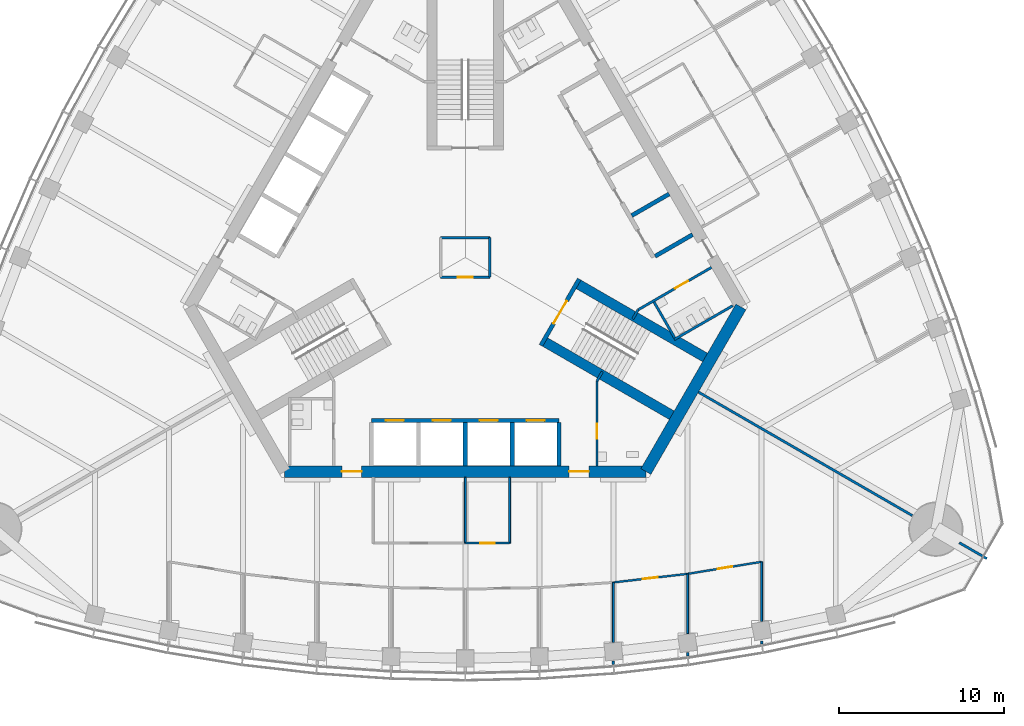
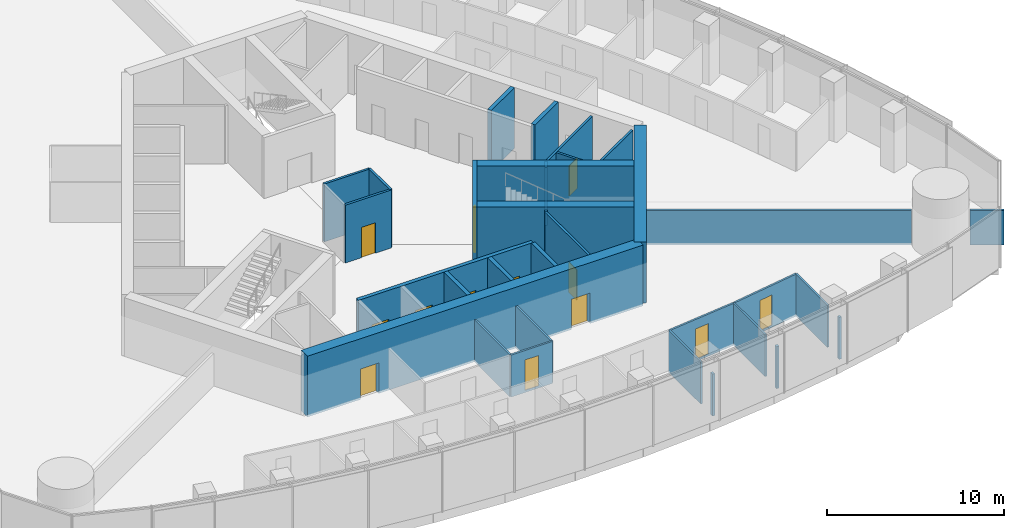
# One storey, part 12 of 19: 33 walls, 13 doors, 13 openings.
"""IFC4 building model written with IfcOpenShell, lengths in metres."""

from ifc_helpers import new_model, si_unit, direction, frame, frame_2d, origin, place, context, subcontext, project, spatial, rectangle, extrude, material, layer, layer_set, type_object, element, fill, save


model = new_model("IFC4")

# Units and contexts
model_context = context("Model", 3, precision=1e-05, world=origin(), true_north=direction((0.0, 1.0)))
body_context = subcontext(model_context, "Body", "Model", "MODEL_VIEW")
ifc_project = project(units=[si_unit("LENGTHUNIT", "METRE"), si_unit("AREAUNIT", "SQUARE_METRE"), si_unit("VOLUMEUNIT", "CUBIC_METRE"), si_unit("PLANEANGLEUNIT", "RADIAN"), si_unit("MASSUNIT", "GRAM", prefix="KILO")], contexts=[model_context])

# Site, building, storey
site_placement = place(None, origin())
site = spatial("IfcSite", under=ifc_project, at=site_placement, CompositionType="ELEMENT")
building_placement = place(site_placement, origin())
building = spatial("IfcBuilding", under=site, at=building_placement, Name="Trefoil Bronze Tower", CompositionType="ELEMENT")
storey_placement = place(building_placement, frame((0.0, 0.0, 235.89990234375)))
storey = spatial("IfcBuildingStorey", under=building, at=storey_placement, Name="L54", CompositionType="ELEMENT", Elevation=235.89990234375)

# Wall, openings, doors
ifc_material_1 = material(Name="Concrete B80", Category="concrete")
ifc_layer_1 = layer(ifc_material_1, 0.699951171875)
ifc_layer_set_1 = layer_set([ifc_layer_1], Name="Core wall 700")
wall_type_1 = type_object("IfcWallType", Name="Core wall 700", PredefinedType="SHEAR", material=ifc_layer_set_1)
wall_1_placement = place(storey_placement, frame((-10.9697265625, -13.0, 0.0), z_axis=(0.0, 0.0, 1.0), x_axis=(1.0, 0.0, 0.0)))
wall_1 = element("IfcWall", 1, at=wall_1_placement, inside=storey, type_object=wall_type_1, Name="Core long wall 1 L54", PredefinedType="SHEAR", context=body_context, shape_type="SweptSolid", body=[
    extrude(rectangle(XDim=21.939453125, YDim=0.699951171875, at=frame_2d((10.9697265625, 0.0))), origin(), (0.0, 0.0, 1.0), 4.2001953125),
])
opening_1_placement = place(wall_1_placement, frame((17.269775390625, 0.0, 0.0)))
opening_1 = element("IfcOpeningElement", 2, at=opening_1_placement, cuts=wall_1, Name="Opening D2", PredefinedType="OPENING", context=body_context, shape_type="SweptSolid", body=[
    extrude(rectangle(XDim=1.199951171875, YDim=2.10009765625, at=frame_2d((0.60009765625, 1.050048828125))), frame((0.0, 0.35986328125, 0.0), z_axis=(0.0, -1.0, 0.0), x_axis=(1.0, 0.0, 0.0)), (0.0, 0.0, 1.0), 0.719970703125),
])
opening_2_placement = place(wall_1_placement, frame((3.4697265625, 0.0, 0.0)))
opening_2 = element("IfcOpeningElement", 3, at=opening_2_placement, cuts=wall_1, Name="Opening D2", PredefinedType="OPENING", context=body_context, shape_type="SweptSolid", body=[
    extrude(rectangle(XDim=1.199951171875, YDim=2.10009765625, at=frame_2d((0.60009765625, 1.050048828125))), frame((0.0, 0.35986328125, 0.0), z_axis=(0.0, -1.0, 0.0), x_axis=(1.0, 0.0, 0.0)), (0.0, 0.0, 1.0), 0.719970703125),
])
ifc_material_2 = material(Name="Steel door", Category="steel")
door_type_1 = type_object("IfcDoorType", Name="Lobby door 1200", OperationType="SINGLE_SWING_RIGHT", PredefinedType="DOOR", material=ifc_material_2)
door_1_placement = place(opening_1_placement, origin())
door_1 = element("IfcDoor", 4, at=door_1_placement, inside=storey, type_object=door_type_1, Name="Lobby door F1+ L54", OperationType="SINGLE_SWING_RIGHT", OverallHeight=2.10009765625, OverallWidth=1.199951171875, PredefinedType="DOOR", context=body_context, shape_type="SweptSolid", body=[
    extrude(rectangle(XDim=1.199951171875, YDim=2.10009765625, at=frame_2d((0.60009765625, 1.050048828125))), frame((0.0, 0.02490234375, 0.0), z_axis=(0.0, -1.0, 0.0), x_axis=(1.0, 0.0, 0.0)), (0.0, 0.0, 1.0), 0.050048828125),
])
fill(opening_1, door_1)
door_2_placement = place(opening_2_placement, origin())
door_2 = element("IfcDoor", 5, at=door_2_placement, inside=storey, type_object=door_type_1, Name="Lobby door F1- L54", OperationType="SINGLE_SWING_LEFT", OverallHeight=2.10009765625, OverallWidth=1.199951171875, PredefinedType="DOOR", context=body_context, shape_type="SweptSolid", body=[
    extrude(rectangle(XDim=1.199951171875, YDim=2.10009765625, at=frame_2d((0.60009765625, 1.050048828125))), frame((0.0, 0.02490234375, 0.0), z_axis=(0.0, -1.0, 0.0), x_axis=(1.0, 0.0, 0.0)), (0.0, 0.0, 1.0), 0.050048828125),
])
fill(opening_2, door_2)

# Wall
wall_2_placement = place(storey_placement, frame((10.9697265625, -13.0, 0.0), z_axis=(0.0, 0.0, 1.0), x_axis=(0.499995765644, 0.866027848477, 0.0)))
element("IfcWall", 6, at=wall_2_placement, inside=storey, type_object=wall_type_1, Name="Core short wall 1 L54", PredefinedType="SHEAR", context=body_context, shape_type="SweptSolid", body=[
    extrude(rectangle(XDim=11.546875, YDim=0.699951171875, at=frame_2d((5.7734375, 0.0))), origin(), (0.0, 0.0, 1.0), 4.2001953125),
])

# Wall, opening, door
ifc_material_3 = material(Name="Glazed partition", Category="glass")
ifc_layer_2 = layer(ifc_material_3, 0.1201171875)
ifc_layer_set_2 = layer_set([ifc_layer_2], Name="Glazed partition 120")
wall_type_2 = type_object("IfcWallType", Name="Glazed partition 120", PredefinedType="PARTITIONING", material=ifc_layer_set_2)
wall_3_placement = place(storey_placement, frame((0.0, -17.35009765625, 0.0), z_axis=(0.0, 0.0, 1.0), x_axis=(1.0, 0.0, 0.0)))
wall_3 = element("IfcWall", 7, at=wall_3_placement, inside=storey, type_object=wall_type_2, Name="Partition F1 L54", PredefinedType="PARTITIONING", context=body_context, shape_type="SweptSolid", body=[
    extrude(rectangle(XDim=2.699951171875, YDim=0.1201171875, at=frame_2d((1.35009765625, 0.0))), origin(), (0.0, 0.0, 1.0), 2.900146484375),
])
opening_3_placement = place(wall_3_placement, frame((0.89990234375, 0.0, 0.14990234375)))
opening_3 = element("IfcOpeningElement", 8, at=opening_3_placement, cuts=wall_3, Name="Opening D8", PredefinedType="OPENING", context=body_context, shape_type="SweptSolid", body=[
    extrude(rectangle(XDim=0.89990234375, YDim=2.10009765625, at=frame_2d((0.449951171875, 1.050048828125))), frame((0.0, 0.070068359375, 0.0), z_axis=(0.0, -1.0, 0.0), x_axis=(1.0, 0.0, 0.0)), (0.0, 0.0, 1.0), 0.14013671875),
])
ifc_material_4 = material(Name="Timber door", Category="wood")
door_type_2 = type_object("IfcDoorType", Name="Office door 900", OperationType="SINGLE_SWING_LEFT", PredefinedType="DOOR", material=ifc_material_4)
door_3_placement = place(opening_3_placement, origin())
door_3 = element("IfcDoor", 9, at=door_3_placement, inside=storey, type_object=door_type_2, Name="Pantry door F1 L54", OperationType="SINGLE_SWING_LEFT", OverallHeight=2.10009765625, OverallWidth=0.89990234375, PredefinedType="DOOR", context=body_context, shape_type="SweptSolid", body=[
    extrude(rectangle(XDim=0.89990234375, YDim=2.10009765625, at=frame_2d((0.449951171875, 1.050048828125))), frame((0.0, 0.02490234375, 0.0), z_axis=(0.0, -1.0, 0.0), x_axis=(1.0, 0.0, 0.0)), (0.0, 0.0, 1.0), 0.050048828125),
])
fill(opening_3, door_3)

# Walls
for number, where, z_axis, x_axis, name in (
    (10, (2.699951171875, -13.35009765625, 0.0), (0.0, 0.0, 1.0), (0.0, -1.0, 0.0), "Partition F1 L54"),
    (11, (0.0, -13.35009765625, 0.0), (0.0, 0.0, 1.0), (0.0, -1.0, 0.0), "Partition F1 L54"),
):
    element("IfcWall", number, at=place(storey_placement, frame(where, z_axis=z_axis, x_axis=x_axis)), inside=storey, type_object=wall_type_2, Name=name, PredefinedType="PARTITIONING", context=body_context, shape_type="SweptSolid", body=[
        extrude(rectangle(XDim=4.0, YDim=0.1201171875, at=frame_2d((2.0, 0.0))), origin(), (0.0, 0.0, 1.0), 2.900146484375),
    ])

# Wall, opening, door
wall_4_placement = place(storey_placement, frame((13.5, -19.216064453125, 0.0), z_axis=(0.0, 0.0, 1.0), x_axis=(0.986986525477, 0.160802980469, 0.0)))
wall_4 = element("IfcWall", 12, at=wall_4_placement, inside=storey, type_object=wall_type_2, Name="Partition F1 L54", PredefinedType="PARTITIONING", context=body_context, shape_type="SweptSolid", body=[
    extrude(rectangle(XDim=4.559326171875, YDim=0.1201171875, at=frame_2d((2.27978515625, 0.0))), origin(), (0.0, 0.0, 1.0), 2.900146484375),
])
opening_4_placement = place(wall_4_placement, frame((1.85009765625, 0.0, 0.14990234375)))
opening_4 = element("IfcOpeningElement", 13, at=opening_4_placement, cuts=wall_4, Name="Opening D8", PredefinedType="OPENING", context=body_context, shape_type="SweptSolid", body=[
    extrude(rectangle(XDim=0.89990234375, YDim=2.10009765625, at=frame_2d((0.449951171875, 1.050048828125))), frame((0.0, 0.070068359375, 0.0), z_axis=(0.0, -1.0, 0.0), x_axis=(1.0, 0.0, 0.0)), (0.0, 0.0, 1.0), 0.14013671875),
])
door_4_placement = place(opening_4_placement, frame((0.89990234375, 0.0, 0.0), z_axis=(0.0, 0.0, 1.0), x_axis=(-1.0, 0.0, 0.0)))
door_4 = element("IfcDoor", 14, at=door_4_placement, inside=storey, type_object=door_type_2, Name="Office door F1 L54", OperationType="SINGLE_SWING_LEFT", OverallHeight=2.10009765625, OverallWidth=0.89990234375, PredefinedType="DOOR", context=body_context, shape_type="SweptSolid", body=[
    extrude(rectangle(XDim=0.89990234375, YDim=2.10009765625, at=frame_2d((0.449951171875, 1.050048828125))), frame((0.0, 0.02490234375, 0.0), z_axis=(0.0, -1.0, 0.0), x_axis=(1.0, 0.0, 0.0)), (0.0, 0.0, 1.0), 0.050048828125),
])
fill(opening_4, door_4)

wall_5_placement = place(storey_placement, frame((9.0, -19.736328125, 0.0), z_axis=(0.0, 0.0, 1.0), x_axis=(0.993382946625, 0.114849124309, 0.0)))
wall_5 = element("IfcWall", 15, at=wall_5_placement, inside=storey, type_object=wall_type_2, Name="Partition F1 L54", PredefinedType="PARTITIONING", context=body_context, shape_type="SweptSolid", body=[
    extrude(rectangle(XDim=4.530029296875, YDim=0.1201171875, at=frame_2d((2.26513671875, 0.0))), origin(), (0.0, 0.0, 1.0), 2.900146484375),
])
opening_5_placement = place(wall_5_placement, frame((1.800048828125, 0.0, 0.14990234375)))
opening_5 = element("IfcOpeningElement", 16, at=opening_5_placement, cuts=wall_5, Name="Opening D8", PredefinedType="OPENING", context=body_context, shape_type="SweptSolid", body=[
    extrude(rectangle(XDim=0.89990234375, YDim=2.10009765625, at=frame_2d((0.449951171875, 1.050048828125))), frame((0.0, 0.070068359375, 0.0), z_axis=(0.0, -1.0, 0.0), x_axis=(1.0, 0.0, 0.0)), (0.0, 0.0, 1.0), 0.14013671875),
])
door_5_placement = place(opening_5_placement, frame((0.89990234375, 0.0, 0.0), z_axis=(0.0, 0.0, 1.0), x_axis=(-1.0, 0.0, 0.0)))
door_5 = element("IfcDoor", 17, at=door_5_placement, inside=storey, type_object=door_type_2, Name="Office door F1 L54", OperationType="SINGLE_SWING_RIGHT", OverallHeight=2.10009765625, OverallWidth=0.89990234375, PredefinedType="DOOR", context=body_context, shape_type="SweptSolid", body=[
    extrude(rectangle(XDim=0.89990234375, YDim=2.10009765625, at=frame_2d((0.449951171875, 1.050048828125))), frame((0.0, 0.02490234375, 0.0), z_axis=(0.0, -1.0, 0.0), x_axis=(1.0, 0.0, 0.0)), (0.0, 0.0, 1.0), 0.050048828125),
])
fill(opening_5, door_5)

# Walls
wall_6_placement = place(storey_placement, frame((13.5, -19.216064453125, 0.0), z_axis=(0.0, 0.0, 1.0), x_axis=(0.0, -1.0, 0.0)))
element("IfcWall", 18, at=wall_6_placement, inside=storey, type_object=wall_type_2, Name="Partition F1 L54", PredefinedType="PARTITIONING", context=body_context, shape_type="SweptSolid", body=[
    extrude(rectangle(XDim=3.632080078125, YDim=0.1201171875, at=frame_2d((1.81591796875, 0.0))), origin(), (0.0, 0.0, 1.0), 2.900146484375),
])
wall_7_placement = place(storey_placement, frame((18.0, -18.48291015625, 0.0), z_axis=(0.0, 0.0, 1.0), x_axis=(0.0, -1.0, 0.0)))
element("IfcWall", 19, at=wall_7_placement, inside=storey, type_object=wall_type_2, Name="Partition F1 L54", PredefinedType="PARTITIONING", context=body_context, shape_type="SweptSolid", body=[
    extrude(rectangle(XDim=3.62158203125, YDim=0.1201171875, at=frame_2d((1.810791015625, 0.0))), origin(), (0.0, 0.0, 1.0), 2.900146484375),
])
wall_8_placement = place(storey_placement, frame((9.0, -19.736328125, 0.0), z_axis=(0.0, 0.0, 1.0), x_axis=(0.0, -1.0, 0.0)))
element("IfcWall", 20, at=wall_8_placement, inside=storey, type_object=wall_type_2, Name="Partition F1 L54", PredefinedType="PARTITIONING", context=body_context, shape_type="SweptSolid", body=[
    extrude(rectangle(XDim=3.639404296875, YDim=0.1201171875, at=frame_2d((1.81982421875, 0.0))), origin(), (0.0, 0.0, 1.0), 2.900146484375),
])

# Wall, opening, door
ifc_material_5 = material(Name="Gypsum board on steel studs", Category="steel")
ifc_layer_3 = layer(ifc_material_5, 0.14990234375)
ifc_layer_set_3 = layer_set([ifc_layer_3], Name="Partition 150")
wall_type_3 = type_object("IfcWallType", Name="Partition 150", PredefinedType="PARTITIONING", material=ifc_layer_set_3)
wall_9_placement = place(storey_placement, frame((8.0, -7.5, 0.0), z_axis=(0.0, 0.0, 1.0), x_axis=(0.0, -1.0, 0.0)))
wall_9 = element("IfcWall", 21, at=wall_9_placement, inside=storey, type_object=wall_type_3, Name="Passage wall F1+ L54", PredefinedType="PARTITIONING", context=body_context, shape_type="SweptSolid", body=[
    extrude(rectangle(XDim=5.14990234375, YDim=0.14990234375, at=frame_2d((2.574951171875, 0.0))), origin(), (0.0, 0.0, 1.0), 4.0),
])
opening_6_placement = place(wall_9_placement, frame((2.60009765625, 0.0, 0.0)))
opening_6 = element("IfcOpeningElement", 22, at=opening_6_placement, cuts=wall_9, Name="Opening D3", PredefinedType="OPENING", context=body_context, shape_type="SweptSolid", body=[
    extrude(rectangle(XDim=0.89990234375, YDim=2.10009765625, at=frame_2d((0.449951171875, 1.050048828125))), frame((0.0, 0.0849609375, 0.0), z_axis=(0.0, -1.0, 0.0), x_axis=(1.0, 0.0, 0.0)), (0.0, 0.0, 1.0), 0.169921875),
])
ifc_material_6 = material(Name="Timber door", Category="wood")
door_type_3 = type_object("IfcDoorType", Name="WC door 900", OperationType="SINGLE_SWING_LEFT", PredefinedType="DOOR", material=ifc_material_6)
door_6_placement = place(opening_6_placement, origin())
door_6 = element("IfcDoor", 23, at=door_6_placement, inside=storey, type_object=door_type_3, Name="Accessible WC door L54", OperationType="SINGLE_SWING_RIGHT", OverallHeight=2.10009765625, OverallWidth=0.89990234375, PredefinedType="DOOR", context=body_context, shape_type="SweptSolid", body=[
    extrude(rectangle(XDim=0.89990234375, YDim=2.10009765625, at=frame_2d((0.449951171875, 1.050048828125))), frame((0.0, 0.02490234375, 0.0), z_axis=(0.0, -1.0, 0.0), x_axis=(1.0, 0.0, 0.0)), (0.0, 0.0, 1.0), 0.050048828125),
])
fill(opening_6, door_6)

wall_10_placement = place(storey_placement, frame((10.4951171875, -3.17822265625, 0.0), z_axis=(0.0, 0.0, 1.0), x_axis=(0.866037967349, 0.499978238636, 0.0)))
wall_10 = element("IfcWall", 24, at=wall_10_placement, inside=storey, type_object=wall_type_3, Name="Passage wall F2- L54", PredefinedType="PARTITIONING", context=body_context, shape_type="SweptSolid", body=[
    extrude(rectangle(XDim=5.150146484375, YDim=0.14990234375, at=frame_2d((2.5751953125, 0.0))), origin(), (0.0, 0.0, 1.0), 4.0),
])
opening_7_placement = place(wall_10_placement, frame((2.60009765625, 0.0, 0.0)))
opening_7 = element("IfcOpeningElement", 25, at=opening_7_placement, cuts=wall_10, Name="Opening D3", PredefinedType="OPENING", context=body_context, shape_type="SweptSolid", body=[
    extrude(rectangle(XDim=0.89990234375, YDim=2.10009765625, at=frame_2d((0.449951171875, 1.050048828125))), frame((0.0, 0.0849609375, 0.0), z_axis=(0.0, -1.0, 0.0), x_axis=(1.0, 0.0, 0.0)), (0.0, 0.0, 1.0), 0.169921875),
])
door_7_placement = place(opening_7_placement, frame((0.89990234375, 0.0, 0.0), z_axis=(0.0, 0.0, 1.0), x_axis=(-1.0, 0.0, 0.0)))
door_7 = element("IfcDoor", 26, at=door_7_placement, inside=storey, type_object=door_type_3, Name="WC (women) door L54", OperationType="SINGLE_SWING_RIGHT", OverallHeight=2.10009765625, OverallWidth=0.89990234375, PredefinedType="DOOR", context=body_context, shape_type="SweptSolid", body=[
    extrude(rectangle(XDim=0.89990234375, YDim=2.10009765625, at=frame_2d((0.449951171875, 1.050048828125))), frame((0.0, 0.02490234375, 0.0), z_axis=(0.0, -1.0, 0.0), x_axis=(1.0, 0.0, 0.0)), (0.0, 0.0, 1.0), 0.050048828125),
])
fill(opening_7, door_7)

# Walls
for number, where, z_axis, x_axis, name in (
    (27, (8.0, -7.5, 0.0), (0.0, 0.0, 1.0), (0.499842556608, 0.866116284689, 0.0), "WC wall ST1-1 L54"),
    (28, (10.4951171875, -3.17822265625, 0.0), (0.0, 0.0, 1.0), (-0.499842556608, -0.866116284689, 0.0), "WC wall ST1+1 L54"),
):
    element("IfcWall", number, at=place(storey_placement, frame(where, z_axis=z_axis, x_axis=x_axis)), inside=storey, type_object=wall_type_3, Name=name, PredefinedType="PARTITIONING", context=body_context, shape_type="SweptSolid", body=[
        extrude(rectangle(XDim=0.645263671875, YDim=0.14990234375, at=frame_2d((0.32275390625, 0.0))), origin(), (0.0, 0.0, 1.0), 4.0),
    ])
wall_11_placement = place(storey_placement, frame((12.691162109375, -4.98193359375, 0.0), z_axis=(0.0, 0.0, 1.0), x_axis=(0.8660249478, 0.500000789788, 0.0)))
element("IfcWall", 29, at=wall_11_placement, inside=storey, type_object=wall_type_3, Name="WC partition WC (women) L54", PredefinedType="PARTITIONING", context=body_context, shape_type="SweptSolid", body=[
    extrude(rectangle(XDim=4.10009765625, YDim=0.14990234375, at=frame_2d((2.050048828125, 0.0))), origin(), (0.0, 0.0, 1.0), 4.0),
])
wall_12_placement = place(storey_placement, frame((11.463623046875, -2.70556640625, 0.0), z_axis=(0.0, 0.0, 1.0), x_axis=(0.50001992892, -0.866013897511, 0.0)))
element("IfcWall", 30, at=wall_12_placement, inside=storey, type_object=wall_type_3, Name="WC partition WC (women) L54", PredefinedType="PARTITIONING", context=body_context, shape_type="SweptSolid", body=[
    extrude(rectangle(XDim=2.51025390625, YDim=0.14990234375, at=frame_2d((1.255126953125, 0.0))), origin(), (0.0, 0.0, 1.0), 4.0),
])
wall_13_placement = place(storey_placement, frame((13.5, -24.0048828125, 0.0), z_axis=(0.0, 0.0, 1.0), x_axis=(0.0, -1.0, 0.0)))
element("IfcWall", 31, at=wall_13_placement, inside=storey, type_object=wall_type_3, Name="Partition F1 L54", PredefinedType="PARTITIONING", context=body_context, shape_type="SweptSolid", body=[
    extrude(rectangle(XDim=0.206298828125, YDim=0.14990234375, at=frame_2d((0.10302734375, 0.0))), origin(), (0.0, 0.0, 1.0), 2.900146484375),
])
wall_14_placement = place(storey_placement, frame((18.0, -23.285888671875, 0.0), z_axis=(0.0, 0.0, 1.0), x_axis=(0.0, -1.0, 0.0)))
element("IfcWall", 32, at=wall_14_placement, inside=storey, type_object=wall_type_3, Name="Partition F1 L54", PredefinedType="PARTITIONING", context=body_context, shape_type="SweptSolid", body=[
    extrude(rectangle(XDim=0.192138671875, YDim=0.14990234375, at=frame_2d((0.09619140625, 0.0))), origin(), (0.0, 0.0, 1.0), 2.900146484375),
])
wall_15_placement = place(storey_placement, frame((9.0, -24.508056640625, 0.0), z_axis=(0.0, 0.0, 1.0), x_axis=(0.0, -1.0, 0.0)))
element("IfcWall", 33, at=wall_15_placement, inside=storey, type_object=wall_type_3, Name="Partition F1 L54", PredefinedType="PARTITIONING", context=body_context, shape_type="SweptSolid", body=[
    extrude(rectangle(XDim=0.223388671875, YDim=0.14990234375, at=frame_2d((0.11181640625, 0.0))), origin(), (0.0, 0.0, 1.0), 2.900146484375),
])
ifc_material_7 = material(Name="Gypsum board on steel studs", Category="steel")
ifc_layer_4 = layer(ifc_material_7, 0.14990234375)
ifc_layer_set_4 = layer_set([ifc_layer_4], Name="Party wall 150")
wall_type_4 = type_object("IfcWallType", Name="Party wall 150", PredefinedType="PARTITIONING", material=ifc_layer_set_4)
wall_16_placement = place(storey_placement, frame((14.159423828125, -8.175048828125, 0.0), z_axis=(0.0, 0.0, 1.0), x_axis=(0.866027028085, -0.499997186618, 0.0)))
element("IfcWall", 34, at=wall_16_placement, inside=storey, type_object=wall_type_4, Name="Party wall K1 L54", PredefinedType="PARTITIONING", context=body_context, shape_type="SweptSolid", body=[
    extrude(rectangle(XDim=15.0, YDim=0.14990234375, at=frame_2d((7.5, 0.0))), origin(), (0.0, 0.0, 1.0), 2.400146484375),
])
wall_17_placement = place(storey_placement, frame((30.0078125, -17.324951171875, 0.0), z_axis=(0.0, 0.0, 1.0), x_axis=(0.866013246922, -0.500021055713, 0.0)))
element("IfcWall", 35, at=wall_17_placement, inside=storey, type_object=wall_type_4, Name="Party wall K1 L54", PredefinedType="PARTITIONING", context=body_context, shape_type="SweptSolid", body=[
    extrude(rectangle(XDim=1.9345703125, YDim=0.14990234375, at=frame_2d((0.96728515625, 0.0))), origin(), (0.0, 0.0, 1.0), 2.400146484375),
])

# Wall, opening, door
ifc_material_8 = material(Name="Gypsum board on steel studs", Category="steel")
ifc_layer_5 = layer(ifc_material_8, 0.14990234375)
ifc_layer_set_5 = layer_set([ifc_layer_5], Name="Riser wall 150")
wall_type_5 = type_object("IfcWallType", Name="Riser wall 150", PredefinedType="PARTITIONING", material=ifc_layer_set_5)
wall_18_placement = place(storey_placement, frame((-1.5, -1.199951171875, 0.0), z_axis=(0.0, 0.0, 1.0), x_axis=(1.0, 0.0, 0.0)))
wall_18 = element("IfcWall", 36, at=wall_18_placement, inside=storey, type_object=wall_type_5, Name="Riser wall L54", PredefinedType="PARTITIONING", context=body_context, shape_type="SweptSolid", body=[
    extrude(rectangle(XDim=3.0, YDim=0.14990234375, at=frame_2d((1.5, 0.0))), origin(), (0.0, 0.0, 1.0), 4.0),
])
opening_8_placement = place(wall_18_placement, frame((1.050048828125, 0.0, 0.0)))
opening_8 = element("IfcOpeningElement", 37, at=opening_8_placement, cuts=wall_18, Name="Opening D4", PredefinedType="OPENING", context=body_context, shape_type="SweptSolid", body=[
    extrude(rectangle(XDim=0.89990234375, YDim=2.10009765625, at=frame_2d((0.449951171875, 1.050048828125))), frame((0.0, 0.0849609375, 0.0), z_axis=(0.0, -1.0, 0.0), x_axis=(1.0, 0.0, 0.0)), (0.0, 0.0, 1.0), 0.169921875),
])
ifc_material_9 = material(Name="Steel door", Category="steel")
door_type_4 = type_object("IfcDoorType", Name="Riser door 900", OperationType="SINGLE_SWING_LEFT", PredefinedType="DOOR", material=ifc_material_9)
door_8_placement = place(opening_8_placement, frame((0.89990234375, 0.0, 0.0), z_axis=(0.0, 0.0, 1.0), x_axis=(-1.0, 0.0, 0.0)))
door_8 = element("IfcDoor", 38, at=door_8_placement, inside=storey, type_object=door_type_4, Name="Riser door L54", OperationType="SINGLE_SWING_LEFT", OverallHeight=2.10009765625, OverallWidth=0.89990234375, PredefinedType="DOOR", context=body_context, shape_type="SweptSolid", body=[
    extrude(rectangle(XDim=0.89990234375, YDim=2.10009765625, at=frame_2d((0.449951171875, 1.050048828125))), frame((0.0, 0.02490234375, 0.0), z_axis=(0.0, -1.0, 0.0), x_axis=(1.0, 0.0, 0.0)), (0.0, 0.0, 1.0), 0.050048828125),
])
fill(opening_8, door_8)

# Walls
wall_19_placement = place(storey_placement, frame((1.5, -1.199951171875, 0.0), z_axis=(0.0, 0.0, 1.0), x_axis=(0.0, 1.0, 0.0)))
element("IfcWall", 39, at=wall_19_placement, inside=storey, type_object=wall_type_5, Name="Riser wall L54", PredefinedType="PARTITIONING", context=body_context, shape_type="SweptSolid", body=[
    extrude(rectangle(XDim=2.39990234375, YDim=0.14990234375, at=frame_2d((1.199951171875, 0.0))), origin(), (0.0, 0.0, 1.0), 4.0),
])
wall_20_placement = place(storey_placement, frame((1.5, 1.199951171875, 0.0), z_axis=(0.0, 0.0, 1.0), x_axis=(-1.0, 0.0, 0.0)))
element("IfcWall", 40, at=wall_20_placement, inside=storey, type_object=wall_type_5, Name="Riser wall L54", PredefinedType="PARTITIONING", context=body_context, shape_type="SweptSolid", body=[
    extrude(rectangle(XDim=3.0, YDim=0.14990234375, at=frame_2d((1.5, 0.0))), origin(), (0.0, 0.0, 1.0), 4.0),
])

# Wall, openings, doors
ifc_material_10 = material(Name="Concrete B80", Category="concrete")
ifc_layer_6 = layer(ifc_material_10, 0.25)
ifc_layer_set_6 = layer_set([ifc_layer_6], Name="Shaft wall 250")
wall_type_6 = type_object("IfcWallType", Name="Shaft wall 250", PredefinedType="SHEAR", material=ifc_layer_set_6)
wall_21_placement = place(storey_placement, frame((-5.699951171875, -9.89990234375, 0.0), z_axis=(0.0, 0.0, 1.0), x_axis=(1.0, 0.0, 0.0)))
wall_21 = element("IfcWall", 41, at=wall_21_placement, inside=storey, type_object=wall_type_6, Name="Lift shaft front wall A L54", PredefinedType="SHEAR", context=body_context, shape_type="SweptSolid", body=[
    extrude(rectangle(XDim=11.39990234375, YDim=0.25, at=frame_2d((5.699951171875, 0.0))), origin(), (0.0, 0.0, 1.0), 4.2001953125),
])
opening_9_placement = place(wall_21_placement, frame((0.875, 0.0, 0.0)))
opening_9 = element("IfcOpeningElement", 42, at=opening_9_placement, cuts=wall_21, Name="Opening LD-P31", PredefinedType="OPENING", context=body_context, shape_type="SweptSolid", body=[
    extrude(rectangle(XDim=1.10009765625, YDim=2.199951171875, at=frame_2d((0.550048828125, 1.10009765625))), frame((0.0, 0.135009765625, 0.0), z_axis=(0.0, -1.0, 0.0), x_axis=(1.0, 0.0, 0.0)), (0.0, 0.0, 1.0), 0.27001953125),
])
opening_10_placement = place(wall_21_placement, frame((3.72509765625, 0.0, 0.0)))
opening_10 = element("IfcOpeningElement", 43, at=opening_10_placement, cuts=wall_21, Name="Opening LD-P32", PredefinedType="OPENING", context=body_context, shape_type="SweptSolid", body=[
    extrude(rectangle(XDim=1.10009765625, YDim=2.199951171875, at=frame_2d((0.550048828125, 1.10009765625))), frame((0.0, 0.135009765625, 0.0), z_axis=(0.0, -1.0, 0.0), x_axis=(1.0, 0.0, 0.0)), (0.0, 0.0, 1.0), 0.27001953125),
])
opening_11_placement = place(wall_21_placement, frame((6.574951171875, 0.0, 0.0)))
opening_11 = element("IfcOpeningElement", 44, at=opening_11_placement, cuts=wall_21, Name="Opening LD-P33", PredefinedType="OPENING", context=body_context, shape_type="SweptSolid", body=[
    extrude(rectangle(XDim=1.10009765625, YDim=2.199951171875, at=frame_2d((0.550048828125, 1.10009765625))), frame((0.0, 0.135009765625, 0.0), z_axis=(0.0, -1.0, 0.0), x_axis=(1.0, 0.0, 0.0)), (0.0, 0.0, 1.0), 0.27001953125),
])
opening_12_placement = place(wall_21_placement, frame((9.425048828125, 0.0, 0.0)))
opening_12 = element("IfcOpeningElement", 45, at=opening_12_placement, cuts=wall_21, Name="Opening LD-P34", PredefinedType="OPENING", context=body_context, shape_type="SweptSolid", body=[
    extrude(rectangle(XDim=1.10009765625, YDim=2.199951171875, at=frame_2d((0.550048828125, 1.10009765625))), frame((0.0, 0.135009765625, 0.0), z_axis=(0.0, -1.0, 0.0), x_axis=(1.0, 0.0, 0.0)), (0.0, 0.0, 1.0), 0.27001953125),
])
ifc_material_11 = material(Name="Steel door", Category="steel")
door_type_5 = type_object("IfcDoorType", Name="Lift landing door 1100", OperationType="DOUBLE_DOOR_SLIDING", PredefinedType="DOOR", material=ifc_material_11)
door_9_placement = place(opening_9_placement, origin())
door_9 = element("IfcDoor", 46, at=door_9_placement, inside=storey, type_object=door_type_5, Name="Lift P31 landing door L54", OperationType="DOUBLE_DOOR_SLIDING", OverallHeight=2.199951171875, OverallWidth=1.10009765625, PredefinedType="DOOR", context=body_context, shape_type="SweptSolid", body=[
    extrude(rectangle(XDim=1.10009765625, YDim=2.199951171875, at=frame_2d((0.550048828125, 1.10009765625))), frame((0.0, 0.02490234375, 0.0), z_axis=(0.0, -1.0, 0.0), x_axis=(1.0, 0.0, 0.0)), (0.0, 0.0, 1.0), 0.050048828125),
])
fill(opening_9, door_9)
door_10_placement = place(opening_10_placement, origin())
door_10 = element("IfcDoor", 47, at=door_10_placement, inside=storey, type_object=door_type_5, Name="Lift P32 landing door L54", OperationType="DOUBLE_DOOR_SLIDING", OverallHeight=2.199951171875, OverallWidth=1.10009765625, PredefinedType="DOOR", context=body_context, shape_type="SweptSolid", body=[
    extrude(rectangle(XDim=1.10009765625, YDim=2.199951171875, at=frame_2d((0.550048828125, 1.10009765625))), frame((0.0, 0.02490234375, 0.0), z_axis=(0.0, -1.0, 0.0), x_axis=(1.0, 0.0, 0.0)), (0.0, 0.0, 1.0), 0.050048828125),
])
fill(opening_10, door_10)
door_11_placement = place(opening_11_placement, origin())
door_11 = element("IfcDoor", 48, at=door_11_placement, inside=storey, type_object=door_type_5, Name="Lift P33 landing door L54", OperationType="DOUBLE_DOOR_SLIDING", OverallHeight=2.199951171875, OverallWidth=1.10009765625, PredefinedType="DOOR", context=body_context, shape_type="SweptSolid", body=[
    extrude(rectangle(XDim=1.10009765625, YDim=2.199951171875, at=frame_2d((0.550048828125, 1.10009765625))), frame((0.0, 0.02490234375, 0.0), z_axis=(0.0, -1.0, 0.0), x_axis=(1.0, 0.0, 0.0)), (0.0, 0.0, 1.0), 0.050048828125),
])
fill(opening_11, door_11)
door_12_placement = place(opening_12_placement, origin())
door_12 = element("IfcDoor", 49, at=door_12_placement, inside=storey, type_object=door_type_5, Name="Lift P34 landing door L54", OperationType="DOUBLE_DOOR_SLIDING", OverallHeight=2.199951171875, OverallWidth=1.10009765625, PredefinedType="DOOR", context=body_context, shape_type="SweptSolid", body=[
    extrude(rectangle(XDim=1.10009765625, YDim=2.199951171875, at=frame_2d((0.550048828125, 1.10009765625))), frame((0.0, 0.02490234375, 0.0), z_axis=(0.0, -1.0, 0.0), x_axis=(1.0, 0.0, 0.0)), (0.0, 0.0, 1.0), 0.050048828125),
])
fill(opening_12, door_12)

# Walls
for number, where, z_axis, x_axis, name in (
    (50, (0.0, -10.02490234375, 0.0), (0.0, 0.0, 1.0), (0.0, -1.0, 0.0), "Lift shaft side wall A2 L54"),
    (51, (2.85009765625, -10.02490234375, 0.0), (0.0, 0.0, 1.0), (0.0, -1.0, 0.0), "Lift shaft side wall A3 L54"),
    (52, (5.699951171875, -10.02490234375, 0.0), (0.0, 0.0, 1.0), (0.0, -1.0, 0.0), "Lift shaft side wall A4 L54"),
    (53, (11.531982421875, 0.076171875, 0.0), (0.0, 0.0, 1.0), (0.866013657776, 0.500020344131, 0.0), "Lift shaft side wall B0 L54"),
    (54, (10.10693359375, 2.54443359375, 0.0), (0.0, 0.0, 1.0), (0.866013657776, 0.500020344131, 0.0), "Lift shaft side wall B1 L54"),
):
    element("IfcWall", number, at=place(storey_placement, frame(where, z_axis=z_axis, x_axis=x_axis)), inside=storey, type_object=wall_type_6, Name=name, PredefinedType="SHEAR", context=body_context, shape_type="SweptSolid", body=[
        extrude(rectangle(XDim=2.625, YDim=0.25, at=frame_2d((1.3125, 0.0))), origin(), (0.0, 0.0, 1.0), 4.2001953125),
    ])

# Wall, opening, door
wall_22_placement = place(storey_placement, frame((4.5966796875, -5.338623046875, 0.0), z_axis=(0.0, 0.0, 1.0), x_axis=(0.499984536904, 0.866034331223, 0.0)))
wall_22 = element("IfcWall", 55, at=wall_22_placement, inside=storey, type_object=wall_type_6, Name="Stair end wall ST1 L54", PredefinedType="SHEAR", context=body_context, shape_type="SweptSolid", body=[
    extrude(rectangle(XDim=4.650146484375, YDim=0.25, at=frame_2d((2.3251953125, 0.0))), origin(), (0.0, 0.0, 1.0), 4.2001953125),
])
opening_13_placement = place(wall_22_placement, frame((1.52490234375, 0.0, 0.0)))
opening_13 = element("IfcOpeningElement", 56, at=opening_13_placement, cuts=wall_22, Name="Opening D1", PredefinedType="OPENING", context=body_context, shape_type="SweptSolid", body=[
    extrude(rectangle(XDim=1.60009765625, YDim=2.10009765625, at=frame_2d((0.800048828125, 1.050048828125))), frame((0.0, 0.135009765625, 0.0), z_axis=(0.0, -1.0, 0.0), x_axis=(1.0, 0.0, 0.0)), (0.0, 0.0, 1.0), 0.27001953125),
])
ifc_material_12 = material(Name="Steel door", Category="steel")
door_type_6 = type_object("IfcDoorType", Name="Stair door 1600", OperationType="DOUBLE_DOOR_SINGLE_SWING", PredefinedType="DOOR", material=ifc_material_12)
door_13_placement = place(opening_13_placement, frame((1.60009765625, 0.0, 0.0), z_axis=(0.0, 0.0, 1.0), x_axis=(-1.0, 0.0, 0.0)))
door_13 = element("IfcDoor", 57, at=door_13_placement, inside=storey, type_object=door_type_6, Name="Stair door ST1 L54", OperationType="DOUBLE_DOOR_SINGLE_SWING", OverallHeight=2.10009765625, OverallWidth=1.60009765625, PredefinedType="DOOR", context=body_context, shape_type="SweptSolid", body=[
    extrude(rectangle(XDim=1.60009765625, YDim=2.10009765625, at=frame_2d((0.800048828125, 1.050048828125))), frame((0.0, 0.02490234375, 0.0), z_axis=(0.0, -1.0, 0.0), x_axis=(1.0, 0.0, 0.0)), (0.0, 0.0, 1.0), 0.050048828125),
])
fill(opening_13, door_13)

# Walls
ifc_material_13 = material(Name="Concrete B80", Category="concrete")
ifc_layer_7 = layer(ifc_material_13, 0.60009765625)
ifc_layer_set_7 = layer_set([ifc_layer_7], Name="Stair wall 600")
wall_type_7 = type_object("IfcWallType", Name="Stair wall 600", PredefinedType="SHEAR", material=ifc_layer_set_7)
for number, where, z_axis, x_axis, name in (
    (58, (4.638427734375, -5.01611328125, 0.0), (0.0, 0.0, 1.0), (0.866021621257, -0.500006551472, 0.0), "Stair wall ST1 L54"),
    (59, (6.663330078125, -1.5087890625, 0.0), (0.0, 0.0, 1.0), (0.866028310072, -0.499994966129, 0.0), "Stair wall ST1 L54"),
):
    element("IfcWall", number, at=place(storey_placement, frame(where, z_axis=z_axis, x_axis=x_axis)), inside=storey, type_object=wall_type_7, Name=name, PredefinedType="SHEAR", context=body_context, shape_type="SweptSolid", body=[
        extrude(rectangle(XDim=9.125, YDim=0.60009765625, at=frame_2d((4.5625, 0.0))), origin(), (0.0, 0.0, 1.0), 4.2001953125),
    ])

save(model, "model.ifc")
